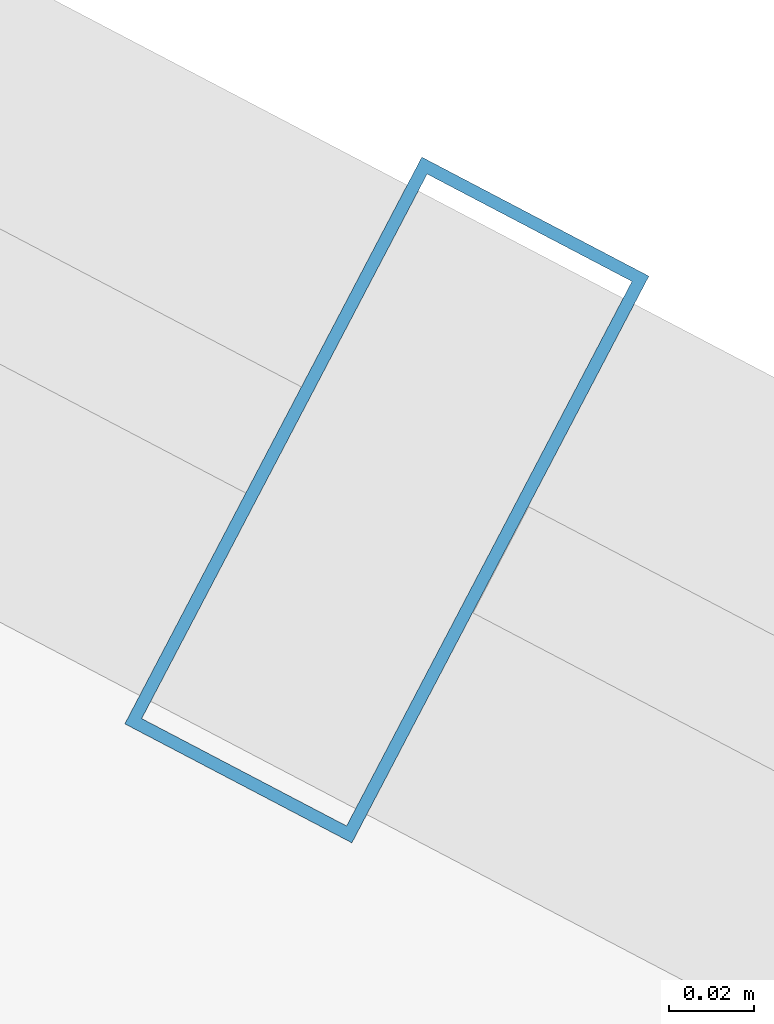
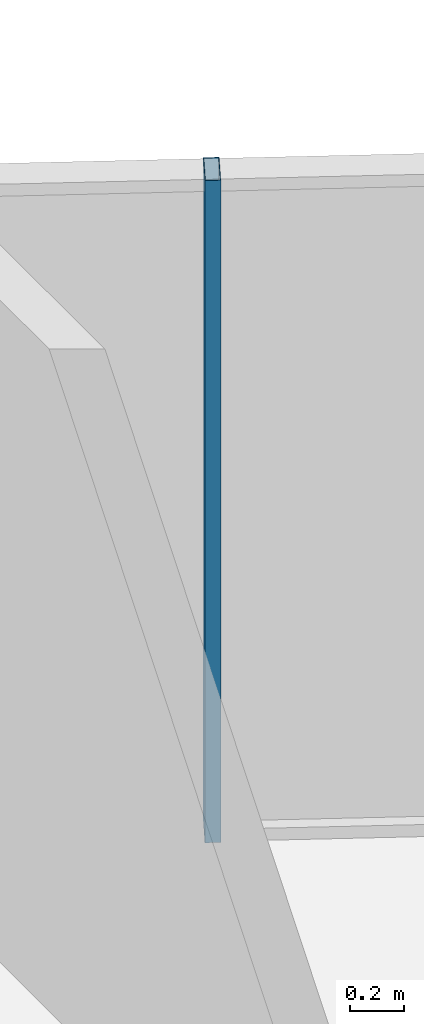
# One storey, part 25 of 33: 1 member, 1 element without a shape of its own.
"""IFC4 building model written with IfcOpenShell, lengths in metres."""

from ifc_helpers import new_model, si_unit, direction, frame, origin, origin_2d, place, context, subcontext, project, spatial, hollow_rectangle, extrude, source, transform, mapped, material, layer, layer_set, material_profile, profile_set, type_object, element, aggregate, save


model = new_model("IFC4")

# Units and contexts
model_context = context("Model", 3, precision=1e-05, world=origin(), true_north=direction((0.0, 1.0)))
body_context = subcontext(model_context, "Body", "Model", "MODEL_VIEW")
ifc_project = project(units=[si_unit("LENGTHUNIT", "METRE"), si_unit("AREAUNIT", "SQUARE_METRE"), si_unit("VOLUMEUNIT", "CUBIC_METRE"), si_unit("PLANEANGLEUNIT", "RADIAN"), si_unit("MASSUNIT", "GRAM", prefix="KILO")], contexts=[model_context])

# Site, building, storey
site_placement = place(None, origin())
site = spatial("IfcSite", under=ifc_project, at=site_placement, CompositionType="ELEMENT")
building_placement = place(site_placement, origin())
building = spatial("IfcBuilding", under=site, at=building_placement, Name="Veraguas Prism Commons", CompositionType="ELEMENT")
storey_placement = place(building_placement, frame((0.0, 0.0, 198.35009765625)))
storey = spatial("IfcBuildingStorey", under=building, at=storey_placement, Name="L56", CompositionType="ELEMENT", Elevation=198.35009765625)

# Curtain wall, member
ifc_material = material(Name="Anodised aluminium EN AW-6063 T6", Category="aluminium")
ifc_layer = layer(ifc_material, 0.14990234375, Name="Unitised Flush Curtain Wall Zone 3", Category="aluminium")
ifc_layer_set = layer_set([ifc_layer], Name="Anodised aluminium EN AW-6063 T6")
curtain_wall_type = type_object("IfcCurtainWallType", Name="Unitised Flush Curtain Wall Zone 3", PredefinedType="NOTDEFINED", material=ifc_layer_set)
curtain_wall_placement = place(storey_placement, origin())
curtain_wall = element("IfcCurtainWall", 1, at=curtain_wall_placement, inside=storey, type_object=curtain_wall_type, Name="Tower Facade Curtain Wall L56-F1", PredefinedType="NOTDEFINED")
ifc_material_profile = material_profile(ifc_material, hollow_rectangle(XDim=0.06005859375, YDim=0.14990234375, WallThickness=0.0029296875, at=origin_2d()), Name="AL60X150X3")
ifc_profile_set = profile_set([ifc_material_profile], Name="Anodised aluminium EN AW-6063 T6")
member_type = type_object("IfcMemberType", Name="Curtain Wall Mullion Upper AL 60x150x3", PredefinedType="MULLION", material=ifc_profile_set)
shared_shape = source(origin(), body_context, "Body", "SweptSolid", [
    extrude(hollow_rectangle(XDim=0.06005859375, YDim=0.14990234375, WallThickness=0.0029296875, at=origin_2d()), origin(), (0.0, 0.0, 1.0), 3.014892578125),
])
member_placement = place(storey_placement, frame((32.221435546875, 39.686279296875, 0.0), z_axis=(0.0, 0.0, 1.0), x_axis=(-0.885721982014, 0.464216081773, 0.0)))
member = element("IfcMember", 2, at=member_placement, type_object=member_type, Name="CW-Z3 Mullion 3", PredefinedType="MULLION", context=body_context, shape_type="MappedRepresentation", body=[
    mapped(shared_shape, transform((0.0, 0.0, 0.0), scale=1.0)),
])
aggregate(curtain_wall, [member])

save(model, "model.ifc")
